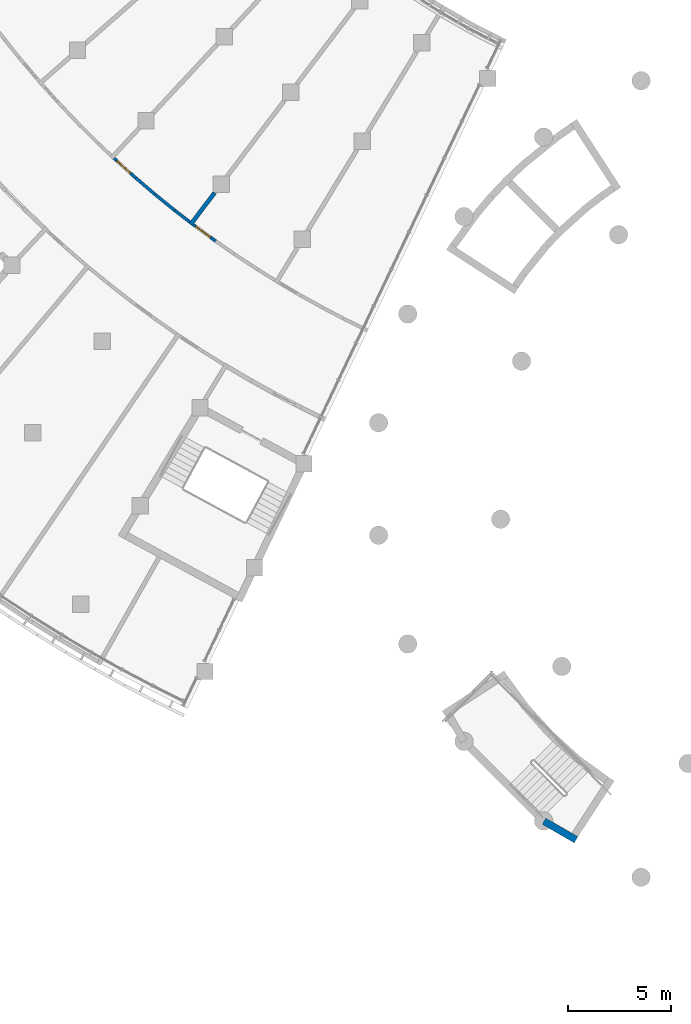
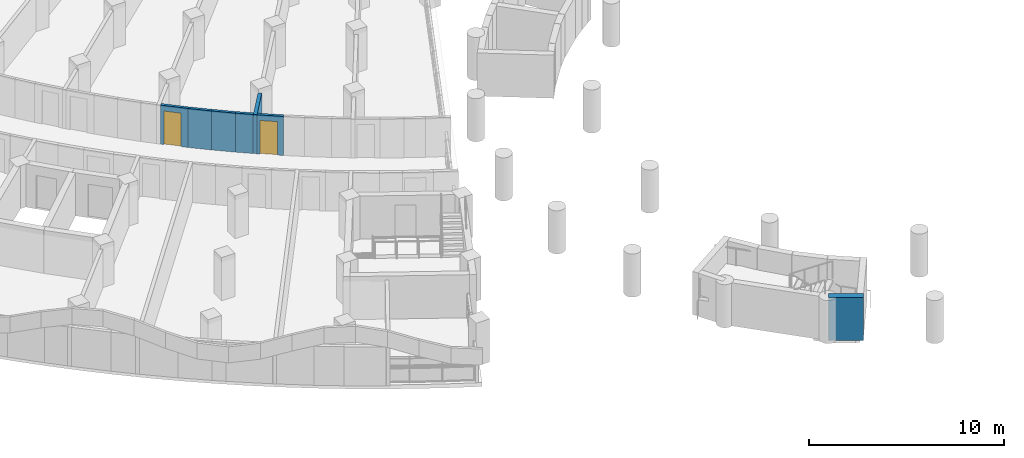
# One storey, part 38 of 89: 7 walls, 2 doors, 2 openings.
"""IFC4 building model written with IfcOpenShell, lengths in metres."""

import ifcopenshell
import ifcopenshell.guid

model = None  # the IFC model being written
_history = None  # IfcOwnerHistory: only IFC2X3 demands one
_inside = {}  # id of a spatial element -> (the spatial element, [elements in it])
_under = {}  # id of a project, library or spatial element -> (it, [spatial elements below it])
_declared = {}  # id of a project -> (the project, [libraries it declares])
_typed = {}  # id of a type object -> (the type object, [elements of that type])
_made_of = {}  # id of a material, layer set ... -> (it, [elements and type objects made of it])


def new_model(schema):
    """Start an empty IFC model of exactly this schema.

    Asked for "IFC4X3", IfcOpenShell would pick the latest addendum, in which some entities
    have other attributes; the version numbers below select the first issue.
    IFC2X3 requires an IfcOwnerHistory on every rooted entity: one is made here for all.
    """
    global model, _history
    if schema == "IFC4X3":
        model = ifcopenshell.file(schema_version=(4, 3, 0, 0))
    else:
        model = ifcopenshell.file(schema=schema)
    _inside.clear()
    _under.clear()
    _declared.clear()
    _typed.clear()
    _made_of.clear()
    _history = None
    if model.schema == "IFC2X3":
        org = make("IfcOrganization", Name="unknown")
        user = make(
            "IfcPersonAndOrganization",
            ThePerson=make("IfcPerson", FamilyName="unknown"),
            TheOrganization=org,
        )
        app = make(
            "IfcApplication",
            ApplicationDeveloper=org,
            Version="unknown",
            ApplicationFullName="unknown",
            ApplicationIdentifier="unknown",
        )
        _history = make(
            "IfcOwnerHistory",
            OwningUser=user,
            OwningApplication=app,
            ChangeAction="ADDED",
            CreationDate=0,
        )
    return model


def make(cls, **values):
    """One entity of the class cls with the attributes given. An attribute that is None is left unset."""
    return model.create_entity(
        cls, **{name: value for name, value in values.items() if value is not None}
    )


def rooted(cls, **values):
    """An entity with a GlobalId (a new one), such as an element, a storey or a relation."""
    return make(cls, GlobalId=ifcopenshell.guid.new(), OwnerHistory=_history, **values)


def si_unit(unit_type, name, prefix=None):
    """IfcSIUnit, for example si_unit("LENGTHUNIT", "METRE", prefix="MILLI")."""
    return make("IfcSIUnit", UnitType=unit_type, Prefix=prefix, Name=name)


def assignment(units):
    """IfcUnitAssignment: the units of a project."""
    return None if units is None else make("IfcUnitAssignment", Units=units)


def point(xyz):
    """IfcCartesianPoint."""
    return None if xyz is None else make("IfcCartesianPoint", Coordinates=xyz)


def direction(xyz):
    """IfcDirection."""
    return None if xyz is None else make("IfcDirection", DirectionRatios=xyz)


def frame(location, z_axis=None, x_axis=None):
    """IfcAxis2Placement3D, a coordinate frame: its origin and axes. An axis left out is left unset."""
    return make(
        "IfcAxis2Placement3D",
        Location=point(location),
        Axis=direction(z_axis),
        RefDirection=direction(x_axis),
    )


def frame_2d(location, x_axis=None):
    """IfcAxis2Placement2D, a coordinate frame in the plane: its origin and x axis."""
    return make(
        "IfcAxis2Placement2D", Location=point(location), RefDirection=direction(x_axis)
    )


def origin():
    """The frame at (0, 0, 0) with its axes left unset."""
    return frame((0.0, 0.0, 0.0))


def place(relative_to, where):
    """IfcLocalPlacement: puts the frame where relative to a parent placement (None: the world)."""
    return make(
        "IfcLocalPlacement", PlacementRelTo=relative_to, RelativePlacement=where
    )


def context(
    kind, dimensions, precision=None, world=None, true_north=None, identifier=None
):
    """IfcGeometricRepresentationContext, for example the 3D "Model" context."""
    return make(
        "IfcGeometricRepresentationContext",
        ContextIdentifier=identifier,
        ContextType=kind,
        CoordinateSpaceDimension=dimensions,
        Precision=precision,
        WorldCoordinateSystem=world,
        TrueNorth=true_north,
    )


def subcontext(parent, identifier, kind, view, scale=None):
    """IfcGeometricRepresentationSubContext, for example "Body" below "Model"."""
    return make(
        "IfcGeometricRepresentationSubContext",
        ContextIdentifier=identifier,
        ContextType=kind,
        ParentContext=parent,
        TargetScale=scale,
        TargetView=view,
    )


def project(units=None, contexts=None):
    """IfcProject with its units and contexts."""
    return rooted(
        "IfcProject",
        Name="project",
        RepresentationContexts=contexts,
        UnitsInContext=assignment(units),
    )


def spatial(cls, under=None, at=None, **own):
    """A site, building, storey or space (cls), placed at a placement, below another one or the project."""
    s = rooted(cls, ObjectPlacement=at, **own)
    if under is not None:
        _under.setdefault(under.id(), (under, []))[1].append(s)
    return s


def profile(cls, at=None, kind="AREA", **sizes):
    """A parametric profile (cls). Its sizes go by their IFC names, for example OverallWidth=200.0."""
    return make(cls, ProfileType=kind, Position=at, **sizes)


def rectangle(**sizes):
    """IfcRectangleProfileDef."""
    return profile("IfcRectangleProfileDef", **sizes)


def extrude(swept, where, along, depth):
    """IfcExtrudedAreaSolid: the profile swept, set in the frame where, extruded along a direction by depth."""
    return make(
        "IfcExtrudedAreaSolid",
        SweptArea=swept,
        Position=where,
        ExtrudedDirection=direction(along),
        Depth=depth,
    )


def shape(context_of_items, identifier, shape_type, items):
    """IfcShapeRepresentation: the items that make up one representation, for example the "Body"."""
    return make(
        "IfcShapeRepresentation",
        ContextOfItems=context_of_items,
        RepresentationIdentifier=identifier,
        RepresentationType=shape_type,
        Items=items,
    )


def material(Name=None, Category=None):
    """IfcMaterial."""
    return make("IfcMaterial", Name=Name, Category=Category)


def layer(
    of_material, thickness, ventilated=None, Name=None, Category=None, Priority=None
):
    """IfcMaterialLayer: one layer of a wall or slab, of a material (None: an air gap)."""
    return make(
        "IfcMaterialLayer",
        Material=of_material,
        LayerThickness=thickness,
        IsVentilated=ventilated,
        Name=Name,
        Category=Category,
        Priority=Priority,
    )


def layer_set(layers, Name=None):
    """IfcMaterialLayerSet."""
    return make("IfcMaterialLayerSet", MaterialLayers=layers, LayerSetName=Name)


def made_of(thing, what):
    """Note that an element or type object is made of a material, layer set ...; save() writes the relation."""
    if what is not None:
        _made_of.setdefault(what.id(), (what, []))[1].append(thing)
    return thing


def type_object(cls, material=None, **own):
    """A type object (cls), such as IfcWallType, which elements share."""
    return made_of(rooted(cls, **own), material)


def element(
    cls,
    number,
    at=None,
    inside=None,
    cuts=None,
    type_object=None,
    material=None,
    context=None,
    identifier="Body",
    shape_type=None,
    held_by="IfcProductDefinitionShape",
    body=None,
    shapes=None,
    **own,
):
    """One element of the class cls, such as IfcWall. Its Tag is "e" and its number.

    at: its placement. inside: the storey or other place that contains it. cuts: it is an
    opening in that element (IfcRelVoidsElement). A single representation is given by context,
    identifier, shape_type and body (its items); several are given by shapes. held_by: the class
    of the entity that holds the representations. save() writes the other relations.
    """
    e = rooted(cls, Tag="e%d" % number, ObjectPlacement=at, **own)
    if body is not None:
        shapes = [shape(context, identifier, shape_type, body)]
    if shapes is not None:
        e.Representation = make(held_by, Representations=shapes)
    if inside is not None:
        _inside.setdefault(inside.id(), (inside, []))[1].append(e)
    if cuts is not None:
        rooted(
            "IfcRelVoidsElement", RelatingBuildingElement=cuts, RelatedOpeningElement=e
        )
    if type_object is not None:
        _typed.setdefault(type_object.id(), (type_object, []))[1].append(e)
    return made_of(e, material)


def fill(opening, filler):
    """IfcRelFillsElement: the door or window that sits in an opening."""
    return rooted(
        "IfcRelFillsElement",
        RelatingOpeningElement=opening,
        RelatedBuildingElement=filler,
    )


def aggregate(whole, parts):
    """IfcRelAggregates: a whole, such as a stair, and the parts it consists of."""
    return rooted("IfcRelAggregates", RelatingObject=whole, RelatedObjects=parts)


def save(model, path):
    """Write the relations noted so far, then the file.

    IfcRelAggregates (storeys below a building ...), IfcRelContainedInSpatialStructure (elements
    in a storey), IfcRelDefinesByType, IfcRelAssociatesMaterial and IfcRelDeclares: one each for
    every whole, place, type object, material and project.
    """
    for whole, parts in _under.values():
        aggregate(whole, parts)
    for where, things in _inside.values():
        rooted(
            "IfcRelContainedInSpatialStructure",
            RelatedElements=things,
            RelatingStructure=where,
        )
    for kind, things in _typed.values():
        rooted("IfcRelDefinesByType", RelatedObjects=things, RelatingType=kind)
    for what, things in _made_of.values():
        rooted("IfcRelAssociatesMaterial", RelatedObjects=things, RelatingMaterial=what)
    for by, libraries in _declared.values():
        rooted("IfcRelDeclares", RelatingContext=by, RelatedDefinitions=libraries)
    model.write(path)


model = new_model("IFC4")

# Units and contexts
model_context = context("Model", 3, precision=1e-05, world=origin(), true_north=direction((0.0, 1.0)))
body_context = subcontext(model_context, "Body", "Model", "MODEL_VIEW")
ifc_project = project(units=[si_unit("LENGTHUNIT", "METRE"), si_unit("AREAUNIT", "SQUARE_METRE"), si_unit("VOLUMEUNIT", "CUBIC_METRE"), si_unit("PLANEANGLEUNIT", "RADIAN"), si_unit("MASSUNIT", "GRAM", prefix="KILO")], contexts=[model_context])

# Site, building, storey
site_placement = place(None, origin())
site = spatial("IfcSite", under=ifc_project, at=site_placement, CompositionType="ELEMENT")
building_placement = place(site_placement, origin())
building = spatial("IfcBuilding", under=site, at=building_placement, Name="Bougainvillea Quay General Hospital", CompositionType="ELEMENT")
storey_placement = place(building_placement, frame((0.0, 0.0, 9.89990234375)))
storey = spatial("IfcBuildingStorey", under=building, at=storey_placement, Name="L01M", CompositionType="ELEMENT", Elevation=9.89990234375)

# Wall, opening, door
ifc_material_1 = material(Name="Gypsum board partition on steel studs, insulated", Category="steel")
ifc_layer_1 = layer(ifc_material_1, 0.14990234375)
ifc_layer_set_1 = layer_set([ifc_layer_1], Name="Gypsum board partition on steel studs, insulated")
wall_type_1 = type_object("IfcWallType", Name="Partition 150 Gypsum board partition EI 60", PredefinedType="PARTITIONING", material=ifc_layer_set_1)
wall_1_placement = place(storey_placement, frame((75.490966796875, 89.622314453125, 0.0), z_axis=(0.0, 0.0, 1.0), x_axis=(0.741422992507, -0.671037961804, 0.0)))
wall_1 = element("IfcWall", 1, at=wall_1_placement, inside=storey, type_object=wall_type_1, Name="Partition 150 mm EI 60", PredefinedType="PARTITIONING", context=body_context, shape_type="SweptSolid", body=[
    extrude(rectangle(XDim=1.43603515625, YDim=0.14990234375, at=frame_2d((0.718017578125, 0.0))), origin(), (0.0, 0.0, 1.0), 2.4501953125),
])
opening_1_placement = place(wall_1_placement, frame((0.179931640625, 0.0, 0.0)))
opening_1 = element("IfcOpeningElement", 2, at=opening_1_placement, cuts=wall_1, Name="Opening L01M.180", PredefinedType="OPENING", context=body_context, shape_type="SweptSolid", body=[
    extrude(rectangle(XDim=0.89990234375, YDim=2.10009765625, at=frame_2d((0.449951171875, 1.050048828125))), frame((0.0, 0.0849609375, 0.0), z_axis=(0.0, -1.0, 0.0), x_axis=(1.0, 0.0, 0.0)), (0.0, 0.0, 1.0), 0.169921875),
])
ifc_material_2 = material(Name="Solid-core timber door leaf in steel frame", Category="steel")
door_type = type_object("IfcDoorType", Name="Single leaf door 900x2100 FD30S", OperationType="NOTDEFINED", PredefinedType="DOOR", material=ifc_material_2)
door_1_placement = place(opening_1_placement, origin())
door_1 = element("IfcDoor", 3, at=door_1_placement, inside=storey, type_object=door_type, Name="DT16 L01M.180", OperationType="SINGLE_SWING_LEFT", OverallHeight=2.10009765625, OverallWidth=0.89990234375, PredefinedType="DOOR", context=body_context, shape_type="SweptSolid", body=[
    extrude(rectangle(XDim=0.89990234375, YDim=2.10009765625, at=frame_2d((0.449951171875, 1.050048828125))), frame((0.0, 0.02490234375, 0.0), z_axis=(0.0, -1.0, 0.0), x_axis=(1.0, 0.0, 0.0)), (0.0, 0.0, 1.0), 0.050048828125),
])
fill(opening_1, door_1)

wall_2_placement = place(storey_placement, frame((79.347412109375, 86.39501953125, 0.0), z_axis=(0.0, 0.0, 1.0), x_axis=(0.8049387444, -0.593357917082, 0.0)))
wall_2 = element("IfcWall", 4, at=wall_2_placement, inside=storey, type_object=wall_type_1, Name="Partition 150 mm EI 60", PredefinedType="PARTITIONING", context=body_context, shape_type="SweptSolid", body=[
    extrude(rectangle(XDim=1.36279296875, YDim=0.14990234375, at=frame_2d((0.681396484375, 0.0))), origin(), (0.0, 0.0, 1.0), 2.4501953125),
])
opening_2_placement = place(wall_2_placement, frame((0.1435546875, 0.0, 0.0)))
opening_2 = element("IfcOpeningElement", 5, at=opening_2_placement, cuts=wall_2, Name="Opening L01M.179", PredefinedType="OPENING", context=body_context, shape_type="SweptSolid", body=[
    extrude(rectangle(XDim=0.89990234375, YDim=2.10009765625, at=frame_2d((0.449951171875, 1.050048828125))), frame((0.0, 0.0849609375, 0.0), z_axis=(0.0, -1.0, 0.0), x_axis=(1.0, 0.0, 0.0)), (0.0, 0.0, 1.0), 0.169921875),
])
door_2_placement = place(opening_2_placement, origin())
door_2 = element("IfcDoor", 6, at=door_2_placement, inside=storey, type_object=door_type, Name="DT16 L01M.179", OperationType="SINGLE_SWING_LEFT", OverallHeight=2.10009765625, OverallWidth=0.89990234375, PredefinedType="DOOR", context=body_context, shape_type="SweptSolid", body=[
    extrude(rectangle(XDim=0.89990234375, YDim=2.10009765625, at=frame_2d((0.449951171875, 1.050048828125))), frame((0.0, 0.02490234375, 0.0), z_axis=(0.0, -1.0, 0.0), x_axis=(1.0, 0.0, 0.0)), (0.0, 0.0, 1.0), 0.050048828125),
])
fill(opening_2, door_2)

# Walls
wall_3_placement = place(storey_placement, frame((76.555419921875, 88.66162109375, 0.0), z_axis=(0.0, 0.0, 1.0), x_axis=(0.759825270479, -0.650127340097, 0.0)))
element("IfcWall", 7, at=wall_3_placement, inside=storey, type_object=wall_type_1, Name="Partition 150 mm EI 60", PredefinedType="PARTITIONING", context=body_context, shape_type="SweptSolid", body=[
    extrude(rectangle(XDim=1.241943359375, YDim=0.14990234375, at=frame_2d((0.62109375, 0.0))), origin(), (0.0, 0.0, 1.0), 2.4501953125),
])
wall_4_placement = place(storey_placement, frame((77.498779296875, 87.856689453125, 0.0), z_axis=(0.0, 0.0, 1.0), x_axis=(0.775716576978, -0.631081446567, 0.0)))
element("IfcWall", 8, at=wall_4_placement, inside=storey, type_object=wall_type_1, Name="Partition 150 mm EI 60", PredefinedType="PARTITIONING", context=body_context, shape_type="SweptSolid", body=[
    extrude(rectangle(XDim=1.24072265625, YDim=0.14990234375, at=frame_2d((0.620361328125, 0.0))), origin(), (0.0, 0.0, 1.0), 2.4501953125),
])
wall_5_placement = place(storey_placement, frame((78.4609375, 87.076416015625, 0.0), z_axis=(0.0, 0.0, 1.0), x_axis=(0.791642324663, -0.610984803249, 0.0)))
element("IfcWall", 9, at=wall_5_placement, inside=storey, type_object=wall_type_1, Name="Partition 150 mm EI 60", PredefinedType="PARTITIONING", context=body_context, shape_type="SweptSolid", body=[
    extrude(rectangle(XDim=0.916259765625, YDim=0.14990234375, at=frame_2d((0.4580078125, 0.0))), origin(), (0.0, 0.0, 1.0), 2.4501953125),
])
ifc_material_3 = material(Name="Fire-rated autoclaved aerated block wall, plastered")
ifc_layer_2 = layer(ifc_material_3, 0.199951171875)
ifc_layer_set_2 = layer_set([ifc_layer_2], Name="Fire-rated autoclaved aerated block wall, plastered")
wall_type_2 = type_object("IfcWallType", Name="Partition 200 Fire-rated autoclaved aerated block wall EI 60", PredefinedType="SOLIDWALL", material=ifc_layer_set_2)
wall_6_placement = place(storey_placement, frame((79.220703125, 86.395263671875, 0.0), z_axis=(0.0, 0.0, 1.0), x_axis=(0.603559498856, 0.797317961255, 0.0)))
element("IfcWall", 10, at=wall_6_placement, inside=storey, type_object=wall_type_2, Name="Partition 200 mm EI 60", PredefinedType="SOLIDWALL", context=body_context, shape_type="SweptSolid", body=[
    extrude(rectangle(XDim=1.939208984375, YDim=0.199951171875, at=frame_2d((0.9697265625, 0.0))), origin(), (0.0, 0.0, 1.0), 2.4501953125),
])
ifc_material_4 = material(Name="Concrete C40", Category="concrete")
ifc_layer_3 = layer(ifc_material_4, 0.35009765625)
ifc_layer_set_3 = layer_set([ifc_layer_3], Name="Concrete C40")
wall_type_3 = type_object("IfcWallType", Name="RC SHEAR WALL 350 C40", PredefinedType="SHEAR", material=ifc_layer_set_3)
wall_7_placement = place(storey_placement, frame((96.43603515625, 57.328369140625, 0.0), z_axis=(0.0, 0.0, 1.0), x_axis=(0.866050214951, -0.499957023337, 0.0)))
element("IfcWall", 11, at=wall_7_placement, inside=storey, type_object=wall_type_3, Name="Shear wall L01M", PredefinedType="SHEAR", context=body_context, shape_type="SweptSolid", body=[
    extrude(rectangle(XDim=1.802001953125, YDim=0.35009765625, at=frame_2d((0.90087890625, 0.0))), origin(), (0.0, 0.0, 1.0), 2.7001953125),
])

save(model, "model.ifc")
